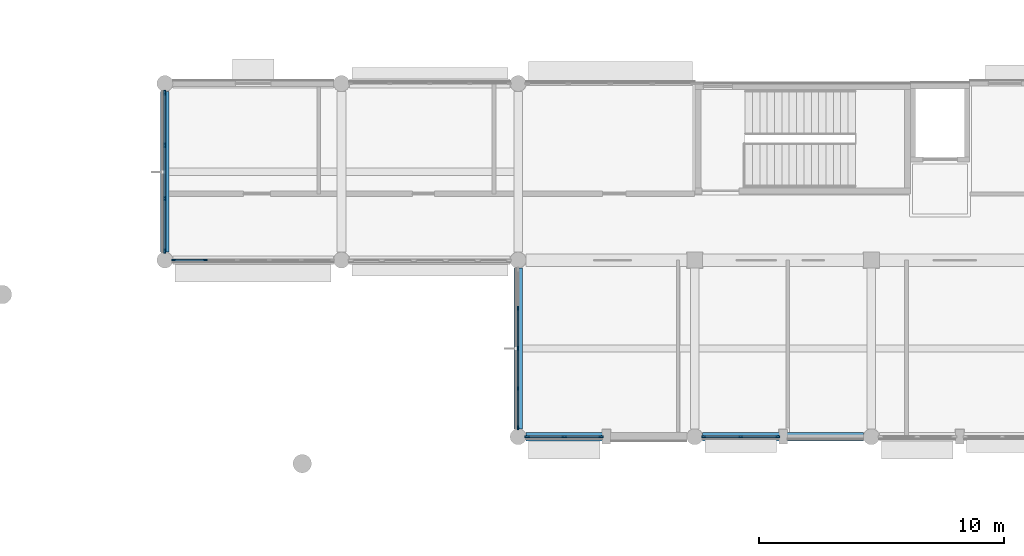
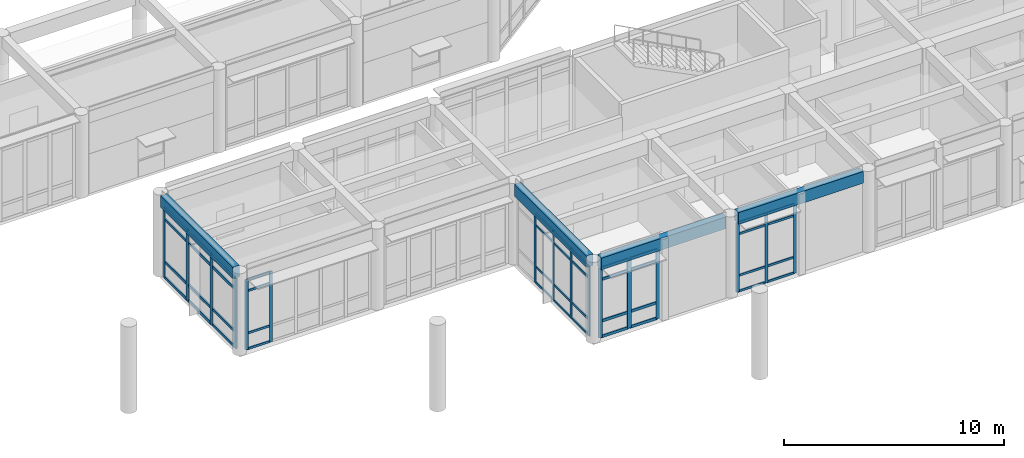
# One storey, part 3 of 92: 60 members, 4 beams, 5 elements without a shape of their own.
"""IFC4 building model written with IfcOpenShell, lengths in metres."""

from ifc_helpers import new_model, si_unit, direction, frame, origin, origin_2d, place, context, subcontext, project, spatial, rectangle, extrude, material, layer, layer_set, material_profile, profile_set, type_object, element, aggregate, save


model = new_model("IFC4")

# Units and contexts
model_context = context("Model", 3, precision=1e-05, world=origin(), true_north=direction((0.0, 1.0)))
body_context = subcontext(model_context, "Body", "Model", "MODEL_VIEW")
ifc_project = project(units=[si_unit("LENGTHUNIT", "METRE"), si_unit("AREAUNIT", "SQUARE_METRE"), si_unit("VOLUMEUNIT", "CUBIC_METRE"), si_unit("PLANEANGLEUNIT", "RADIAN"), si_unit("MASSUNIT", "GRAM", prefix="KILO")], contexts=[model_context])

# Site, building, storey
site_placement = place(None, origin())
site = spatial("IfcSite", under=ifc_project, at=site_placement, CompositionType="ELEMENT")
building_placement = place(site_placement, origin())
building = spatial("IfcBuilding", under=site, at=building_placement, Name="Namkhue Oval Health Centre", CompositionType="ELEMENT")
storey_placement = place(building_placement, frame((0.0, 0.0, 4.800048828125)))
storey = spatial("IfcBuildingStorey", under=building, at=storey_placement, Name="L01", CompositionType="ELEMENT", Elevation=4.800048828125)

# Curtain wall, members
ifc_material_1 = material(Name="Anodised aluminium EN AW-6063 T6", Category="aluminium")
ifc_layer_1 = layer(ifc_material_1, 0.159912109375)
ifc_layer_set_1 = layer_set([ifc_layer_1], Name="Anodised aluminium EN AW-6063 T6")
curtain_wall_type_1 = type_object("IfcCurtainWallType", Name="UNITISED CURTAIN WALL M1500", PredefinedType="NOTDEFINED", material=ifc_layer_set_1)
curtain_wall_1_placement = place(storey_placement, origin())
curtain_wall_1 = element("IfcCurtainWall", 1, at=curtain_wall_1_placement, inside=storey, type_object=curtain_wall_type_1, Name="Volume V4 L01 Unitised Curtain Wall 147", PredefinedType="NOTDEFINED")
ifc_material_profile_1 = material_profile(ifc_material_1, rectangle(XDim=0.06494140625, YDim=0.159912109375, at=origin_2d()), Name="ALU 65x160")
ifc_profile_set_1 = profile_set([ifc_material_profile_1], Name="Anodised aluminium EN AW-6063 T6")
member_type_1 = type_object("IfcMemberType", Name="CURTAIN WALL MULLION 65X160", PredefinedType="MULLION", material=ifc_profile_set_1)
member_1_placement = place(storey_placement, frame((57.967529296875, 14.39990234375, 0.0), z_axis=(0.0, 0.0, 1.0), x_axis=(0.0, 1.0, 0.0)))
member_1 = element("IfcMember", 2, at=member_1_placement, type_object=member_type_1, Name="CW-03 mullion 1", PredefinedType="MULLION", context=body_context, shape_type="SweptSolid", body=[
    extrude(rectangle(XDim=0.06494140625, YDim=0.159912109375, at=origin_2d()), origin(), (0.0, 0.0, 1.0), 3.85498046875),
])
member_2_placement = place(storey_placement, frame((59.474609375, 14.39990234375, 0.0), z_axis=(0.0, 0.0, 1.0), x_axis=(0.0, 1.0, 0.0)))
member_2 = element("IfcMember", 3, at=member_2_placement, type_object=member_type_1, Name="CW-03 mullion 2", PredefinedType="MULLION", context=body_context, shape_type="SweptSolid", body=[
    extrude(rectangle(XDim=0.06494140625, YDim=0.159912109375, at=origin_2d()), origin(), (0.0, 0.0, 1.0), 3.85498046875),
])
member_3_placement = place(storey_placement, frame((60.9814453125, 14.39990234375, 0.0), z_axis=(0.0, 0.0, 1.0), x_axis=(0.0, 1.0, 0.0)))
member_3 = element("IfcMember", 4, at=member_3_placement, type_object=member_type_1, Name="CW-03 mullion 3", PredefinedType="MULLION", context=body_context, shape_type="SweptSolid", body=[
    extrude(rectangle(XDim=0.06494140625, YDim=0.159912109375, at=origin_2d()), origin(), (0.0, 0.0, 1.0), 3.85498046875),
])

ifc_layer_2 = layer(ifc_material_1, 0.159912109375)
ifc_layer_set_2 = layer_set([ifc_layer_2], Name="Anodised aluminium EN AW-6063 T6")
curtain_wall_type_2 = type_object("IfcCurtainWallType", Name="UNITISED CURTAIN WALL M1200", PredefinedType="NOTDEFINED", material=ifc_layer_set_2)
curtain_wall_2_placement = place(storey_placement, origin())
curtain_wall_2 = element("IfcCurtainWall", 5, at=curtain_wall_2_placement, inside=storey, type_object=curtain_wall_type_2, Name="Volume V4 L01 Unitised Curtain Wall 157", PredefinedType="NOTDEFINED")
member_4_placement = place(storey_placement, frame((36.367431640625, 21.60009765625, 0.0), z_axis=(0.0, 0.0, 1.0), x_axis=(0.0, 1.0, 0.0)))
member_4 = element("IfcMember", 6, at=member_4_placement, type_object=member_type_1, Name="CW-01 mullion 1", PredefinedType="MULLION", context=body_context, shape_type="SweptSolid", body=[
    extrude(rectangle(XDim=0.06494140625, YDim=0.159912109375, at=origin_2d()), origin(), (0.0, 0.0, 1.0), 3.89794921875),
])
member_5_placement = place(storey_placement, frame((37.64111328125, 21.60009765625, 0.0), z_axis=(0.0, 0.0, 1.0), x_axis=(0.0, 1.0, 0.0)))
member_5 = element("IfcMember", 7, at=member_5_placement, type_object=member_type_1, Name="CW-01 mullion 2", PredefinedType="MULLION", context=body_context, shape_type="SweptSolid", body=[
    extrude(rectangle(XDim=0.06494140625, YDim=0.159912109375, at=origin_2d()), origin(), (0.0, 0.0, 1.0), 3.89794921875),
])

curtain_wall_3_placement = place(storey_placement, origin())
curtain_wall_3 = element("IfcCurtainWall", 8, at=curtain_wall_3_placement, inside=storey, type_object=curtain_wall_type_1, Name="Volume V4 L01 Unitised Curtain Wall 159", PredefinedType="NOTDEFINED")
member_6_placement = place(storey_placement, frame((50.39990234375, 19.632568359375, 0.0), z_axis=(0.0, 0.0, 1.0), x_axis=(1.0, 0.0, 0.0)))
member_6 = element("IfcMember", 9, at=member_6_placement, type_object=member_type_1, Name="CW-03 mullion 2", PredefinedType="MULLION", context=body_context, shape_type="SweptSolid", body=[
    extrude(rectangle(XDim=0.06494140625, YDim=0.159912109375, at=origin_2d()), origin(), (0.0, 0.0, 1.0), 3.85498046875),
])
member_7_placement = place(storey_placement, frame((50.39990234375, 18.0, 0.0), z_axis=(0.0, 0.0, 1.0), x_axis=(1.0, 0.0, 0.0)))
member_7 = element("IfcMember", 10, at=member_7_placement, type_object=member_type_1, Name="CW-03 mullion 3", PredefinedType="MULLION", context=body_context, shape_type="SweptSolid", body=[
    extrude(rectangle(XDim=0.06494140625, YDim=0.159912109375, at=origin_2d()), origin(), (0.0, 0.0, 1.0), 3.85498046875),
])
member_8_placement = place(storey_placement, frame((50.39990234375, 16.367431640625, 0.0), z_axis=(0.0, 0.0, 1.0), x_axis=(1.0, 0.0, 0.0)))
member_8 = element("IfcMember", 11, at=member_8_placement, type_object=member_type_1, Name="CW-03 mullion 4", PredefinedType="MULLION", context=body_context, shape_type="SweptSolid", body=[
    extrude(rectangle(XDim=0.06494140625, YDim=0.159912109375, at=origin_2d()), origin(), (0.0, 0.0, 1.0), 3.85498046875),
])
member_9_placement = place(storey_placement, frame((50.39990234375, 14.767578125, 0.0), z_axis=(0.0, 0.0, 1.0), x_axis=(1.0, 0.0, 0.0)))
member_9 = element("IfcMember", 12, at=member_9_placement, type_object=member_type_1, Name="CW-03 mullion 5", PredefinedType="MULLION", context=body_context, shape_type="SweptSolid", body=[
    extrude(rectangle(XDim=0.06494140625, YDim=0.159912109375, at=origin_2d()), origin(), (0.0, 0.0, 1.0), 3.85498046875),
])

ifc_layer_3 = layer(ifc_material_1, 0.159912109375)
ifc_layer_set_3 = layer_set([ifc_layer_3], Name="Anodised aluminium EN AW-6063 T6")
curtain_wall_type_3 = type_object("IfcCurtainWallType", Name="UNITISED CURTAIN WALL M1350", PredefinedType="NOTDEFINED", material=ifc_layer_set_3)
curtain_wall_4_placement = place(storey_placement, origin())
curtain_wall_4 = element("IfcCurtainWall", 13, at=curtain_wall_4_placement, inside=storey, type_object=curtain_wall_type_3, Name="Volume V4 L01 Unitised Curtain Wall 146", PredefinedType="NOTDEFINED")
ifc_material_profile_2 = material_profile(ifc_material_1, rectangle(XDim=0.074951171875, YDim=0.199951171875, at=origin_2d()), Name="ALU 75x200")
ifc_profile_set_2 = profile_set([ifc_material_profile_2], Name="Anodised aluminium EN AW-6063 T6")
member_type_2 = type_object("IfcMemberType", Name="CURTAIN WALL MULLION 75X200", PredefinedType="MULLION", material=ifc_profile_set_2)
member_10_placement = place(storey_placement, frame((50.7724609375, 14.39990234375, 0.0), z_axis=(0.0, 0.0, 1.0), x_axis=(0.0, 1.0, 0.0)))
member_10 = element("IfcMember", 14, at=member_10_placement, type_object=member_type_2, Name="CW-02 mullion 1", PredefinedType="MULLION", context=body_context, shape_type="SweptSolid", body=[
    extrude(rectangle(XDim=0.074951171875, YDim=0.199951171875, at=origin_2d()), origin(), (0.0, 0.0, 1.0), 3.85498046875),
])
member_11_placement = place(storey_placement, frame((52.2744140625, 14.39990234375, 0.0), z_axis=(0.0, 0.0, 1.0), x_axis=(0.0, 1.0, 0.0)))
member_11 = element("IfcMember", 15, at=member_11_placement, type_object=member_type_2, Name="CW-02 mullion 2", PredefinedType="MULLION", context=body_context, shape_type="SweptSolid", body=[
    extrude(rectangle(XDim=0.074951171875, YDim=0.199951171875, at=origin_2d()), origin(), (0.0, 0.0, 1.0), 3.85498046875),
])
member_12_placement = place(storey_placement, frame((53.776611328125, 14.39990234375, 0.0), z_axis=(0.0, 0.0, 1.0), x_axis=(0.0, 1.0, 0.0)))
member_12 = element("IfcMember", 16, at=member_12_placement, type_object=member_type_2, Name="CW-02 mullion 3", PredefinedType="MULLION", context=body_context, shape_type="SweptSolid", body=[
    extrude(rectangle(XDim=0.074951171875, YDim=0.199951171875, at=origin_2d()), origin(), (0.0, 0.0, 1.0), 3.85498046875),
])

ifc_layer_4 = layer(ifc_material_1, 0.159912109375)
ifc_layer_set_4 = layer_set([ifc_layer_4], Name="Anodised aluminium EN AW-6063 T6")
curtain_wall_type_4 = type_object("IfcCurtainWallType", Name="UNITISED CURTAIN WALL M2000", PredefinedType="NOTDEFINED", material=ifc_layer_set_4)
curtain_wall_5_placement = place(storey_placement, origin())
curtain_wall_5 = element("IfcCurtainWall", 17, at=curtain_wall_5_placement, inside=storey, type_object=curtain_wall_type_4, Name="Volume V4 L01 Unitised Curtain Wall 156", PredefinedType="NOTDEFINED")
member_13_placement = place(storey_placement, frame((36.0, 28.427490234375, 0.0), z_axis=(0.0, 0.0, 1.0), x_axis=(1.0, 0.0, 0.0)))
member_13 = element("IfcMember", 18, at=member_13_placement, type_object=member_type_2, Name="CW-06 mullion 1", PredefinedType="MULLION", context=body_context, shape_type="SweptSolid", body=[
    extrude(rectangle(XDim=0.074951171875, YDim=0.199951171875, at=origin_2d()), origin(), (0.0, 0.0, 1.0), 3.89794921875),
])
member_14_placement = place(storey_placement, frame((36.0, 26.288330078125, 0.0), z_axis=(0.0, 0.0, 1.0), x_axis=(1.0, 0.0, 0.0)))
member_14 = element("IfcMember", 19, at=member_14_placement, type_object=member_type_2, Name="CW-06 mullion 2", PredefinedType="MULLION", context=body_context, shape_type="SweptSolid", body=[
    extrude(rectangle(XDim=0.074951171875, YDim=0.199951171875, at=origin_2d()), origin(), (0.0, 0.0, 1.0), 3.89794921875),
])
member_15_placement = place(storey_placement, frame((36.0, 24.111572265625, 0.0), z_axis=(0.0, 0.0, 1.0), x_axis=(1.0, 0.0, 0.0)))
member_15 = element("IfcMember", 20, at=member_15_placement, type_object=member_type_2, Name="CW-06 mullion 3", PredefinedType="MULLION", context=body_context, shape_type="SweptSolid", body=[
    extrude(rectangle(XDim=0.074951171875, YDim=0.199951171875, at=origin_2d()), origin(), (0.0, 0.0, 1.0), 3.89794921875),
])
member_16_placement = place(storey_placement, frame((36.0, 21.972412109375, 0.0), z_axis=(0.0, 0.0, 1.0), x_axis=(1.0, 0.0, 0.0)))
member_16 = element("IfcMember", 21, at=member_16_placement, type_object=member_type_2, Name="CW-06 mullion 4", PredefinedType="MULLION", context=body_context, shape_type="SweptSolid", body=[
    extrude(rectangle(XDim=0.074951171875, YDim=0.199951171875, at=origin_2d()), origin(), (0.0, 0.0, 1.0), 3.89794921875),
])

# Member
ifc_material_profile_3 = material_profile(ifc_material_1, rectangle(XDim=0.06494140625, YDim=0.1201171875, at=origin_2d()), Name="ALU 65x120")
ifc_profile_set_3 = profile_set([ifc_material_profile_3], Name="Anodised aluminium EN AW-6063 T6")
member_type_3 = type_object("IfcMemberType", Name="CURTAIN WALL TRANSOM 65X120", PredefinedType="USERDEFINED", material=ifc_profile_set_3)
member_17_placement = place(storey_placement, frame((58.0, 14.39990234375, 0.032470703125), z_axis=(1.0, 0.0, 0.0), x_axis=(0.0, 1.0, 0.0)))
member_17 = element("IfcMember", 22, at=member_17_placement, type_object=member_type_3, Name="CW-03 transom 1.1", ObjectType="TRANSOM", PredefinedType="USERDEFINED", context=body_context, shape_type="SweptSolid", body=[
    extrude(rectangle(XDim=0.06494140625, YDim=0.1201171875, at=origin_2d()), origin(), (0.0, 0.0, 1.0), 1.44189453125),
])

member_18_placement = place(storey_placement, frame((58.0, 14.39990234375, 0.89990234375), z_axis=(1.0, 0.0, 0.0), x_axis=(0.0, 1.0, 0.0)))
member_18 = element("IfcMember", 23, at=member_18_placement, type_object=member_type_3, Name="CW-03 transom 1.2", ObjectType="TRANSOM", PredefinedType="USERDEFINED", context=body_context, shape_type="SweptSolid", body=[
    extrude(rectangle(XDim=0.06494140625, YDim=0.1201171875, at=origin_2d()), origin(), (0.0, 0.0, 1.0), 1.44189453125),
])

member_19_placement = place(storey_placement, frame((58.0, 14.39990234375, 3.204833984375), z_axis=(1.0, 0.0, 0.0), x_axis=(0.0, 1.0, 0.0)))
member_19 = element("IfcMember", 24, at=member_19_placement, type_object=member_type_3, Name="CW-03 transom 1.3", ObjectType="TRANSOM", PredefinedType="USERDEFINED", context=body_context, shape_type="SweptSolid", body=[
    extrude(rectangle(XDim=0.06494140625, YDim=0.1201171875, at=origin_2d()), origin(), (0.0, 0.0, 1.0), 1.44189453125),
])

member_20_placement = place(storey_placement, frame((58.0, 14.39990234375, 3.822509765625), z_axis=(1.0, 0.0, 0.0), x_axis=(0.0, 1.0, 0.0)))
member_20 = element("IfcMember", 25, at=member_20_placement, type_object=member_type_3, Name="CW-03 transom 1.4", ObjectType="TRANSOM", PredefinedType="USERDEFINED", context=body_context, shape_type="SweptSolid", body=[
    extrude(rectangle(XDim=0.06494140625, YDim=0.1201171875, at=origin_2d()), origin(), (0.0, 0.0, 1.0), 1.44189453125),
])

member_21_placement = place(storey_placement, frame((59.507080078125, 14.39990234375, 0.032470703125), z_axis=(1.0, 0.0, 0.0), x_axis=(0.0, 1.0, 0.0)))
member_21 = element("IfcMember", 26, at=member_21_placement, type_object=member_type_3, Name="CW-03 transom 2.1", ObjectType="TRANSOM", PredefinedType="USERDEFINED", context=body_context, shape_type="SweptSolid", body=[
    extrude(rectangle(XDim=0.06494140625, YDim=0.1201171875, at=origin_2d()), origin(), (0.0, 0.0, 1.0), 1.44189453125),
])

member_22_placement = place(storey_placement, frame((59.507080078125, 14.39990234375, 0.89990234375), z_axis=(1.0, 0.0, 0.0), x_axis=(0.0, 1.0, 0.0)))
member_22 = element("IfcMember", 27, at=member_22_placement, type_object=member_type_3, Name="CW-03 transom 2.2", ObjectType="TRANSOM", PredefinedType="USERDEFINED", context=body_context, shape_type="SweptSolid", body=[
    extrude(rectangle(XDim=0.06494140625, YDim=0.1201171875, at=origin_2d()), origin(), (0.0, 0.0, 1.0), 1.44189453125),
])

member_23_placement = place(storey_placement, frame((59.507080078125, 14.39990234375, 3.204833984375), z_axis=(1.0, 0.0, 0.0), x_axis=(0.0, 1.0, 0.0)))
member_23 = element("IfcMember", 28, at=member_23_placement, type_object=member_type_3, Name="CW-03 transom 2.3", ObjectType="TRANSOM", PredefinedType="USERDEFINED", context=body_context, shape_type="SweptSolid", body=[
    extrude(rectangle(XDim=0.06494140625, YDim=0.1201171875, at=origin_2d()), origin(), (0.0, 0.0, 1.0), 1.44189453125),
])

member_24_placement = place(storey_placement, frame((59.507080078125, 14.39990234375, 3.822509765625), z_axis=(1.0, 0.0, 0.0), x_axis=(0.0, 1.0, 0.0)))
member_24 = element("IfcMember", 29, at=member_24_placement, type_object=member_type_3, Name="CW-03 transom 2.4", ObjectType="TRANSOM", PredefinedType="USERDEFINED", context=body_context, shape_type="SweptSolid", body=[
    extrude(rectangle(XDim=0.06494140625, YDim=0.1201171875, at=origin_2d()), origin(), (0.0, 0.0, 1.0), 1.44189453125),
])

aggregate(curtain_wall_1, [member_1, member_2, member_3, member_17, member_18, member_19, member_20, member_21, member_22, member_23, member_24])

member_25_placement = place(storey_placement, frame((36.39990234375, 21.60009765625, 0.032470703125), z_axis=(1.0, 0.0, 0.0), x_axis=(0.0, 1.0, 0.0)))
member_25 = element("IfcMember", 30, at=member_25_placement, type_object=member_type_3, Name="CW-01 transom 1.1", ObjectType="TRANSOM", PredefinedType="USERDEFINED", context=body_context, shape_type="SweptSolid", body=[
    extrude(rectangle(XDim=0.06494140625, YDim=0.1201171875, at=origin_2d()), origin(), (0.0, 0.0, 1.0), 1.20849609375),
])

member_26_placement = place(storey_placement, frame((36.39990234375, 21.60009765625, 0.89990234375), z_axis=(1.0, 0.0, 0.0), x_axis=(0.0, 1.0, 0.0)))
member_26 = element("IfcMember", 31, at=member_26_placement, type_object=member_type_3, Name="CW-01 transom 1.2", ObjectType="TRANSOM", PredefinedType="USERDEFINED", context=body_context, shape_type="SweptSolid", body=[
    extrude(rectangle(XDim=0.06494140625, YDim=0.1201171875, at=origin_2d()), origin(), (0.0, 0.0, 1.0), 1.20849609375),
])

member_27_placement = place(storey_placement, frame((36.39990234375, 21.60009765625, 3.248046875), z_axis=(1.0, 0.0, 0.0), x_axis=(0.0, 1.0, 0.0)))
member_27 = element("IfcMember", 32, at=member_27_placement, type_object=member_type_3, Name="CW-01 transom 1.3", ObjectType="TRANSOM", PredefinedType="USERDEFINED", context=body_context, shape_type="SweptSolid", body=[
    extrude(rectangle(XDim=0.06494140625, YDim=0.1201171875, at=origin_2d()), origin(), (0.0, 0.0, 1.0), 1.20849609375),
])

member_28_placement = place(storey_placement, frame((36.39990234375, 21.60009765625, 3.865478515625), z_axis=(1.0, 0.0, 0.0), x_axis=(0.0, 1.0, 0.0)))
member_28 = element("IfcMember", 33, at=member_28_placement, type_object=member_type_3, Name="CW-01 transom 1.4", ObjectType="TRANSOM", PredefinedType="USERDEFINED", context=body_context, shape_type="SweptSolid", body=[
    extrude(rectangle(XDim=0.06494140625, YDim=0.1201171875, at=origin_2d()), origin(), (0.0, 0.0, 1.0), 1.20849609375),
])

aggregate(curtain_wall_2, [member_4, member_5, member_25, member_26, member_27, member_28])

member_29_placement = place(storey_placement, frame((50.39990234375, 19.60009765625, 0.032470703125), z_axis=(0.0, -1.0, 0.0), x_axis=(1.0, 0.0, 0.0)))
member_29 = element("IfcMember", 34, at=member_29_placement, type_object=member_type_3, Name="CW-03 transom 2.1", ObjectType="TRANSOM", PredefinedType="USERDEFINED", context=body_context, shape_type="SweptSolid", body=[
    extrude(rectangle(XDim=0.06494140625, YDim=0.1201171875, at=origin_2d()), origin(), (0.0, 0.0, 1.0), 1.567626953125),
])

member_30_placement = place(storey_placement, frame((50.39990234375, 19.60009765625, 0.89990234375), z_axis=(0.0, -1.0, 0.0), x_axis=(1.0, 0.0, 0.0)))
member_30 = element("IfcMember", 35, at=member_30_placement, type_object=member_type_3, Name="CW-03 transom 2.2", ObjectType="TRANSOM", PredefinedType="USERDEFINED", context=body_context, shape_type="SweptSolid", body=[
    extrude(rectangle(XDim=0.06494140625, YDim=0.1201171875, at=origin_2d()), origin(), (0.0, 0.0, 1.0), 1.567626953125),
])

member_31_placement = place(storey_placement, frame((50.39990234375, 19.60009765625, 3.204833984375), z_axis=(0.0, -1.0, 0.0), x_axis=(1.0, 0.0, 0.0)))
member_31 = element("IfcMember", 36, at=member_31_placement, type_object=member_type_3, Name="CW-03 transom 2.3", ObjectType="TRANSOM", PredefinedType="USERDEFINED", context=body_context, shape_type="SweptSolid", body=[
    extrude(rectangle(XDim=0.06494140625, YDim=0.1201171875, at=origin_2d()), origin(), (0.0, 0.0, 1.0), 1.567626953125),
])

member_32_placement = place(storey_placement, frame((50.39990234375, 19.60009765625, 3.822509765625), z_axis=(0.0, -1.0, 0.0), x_axis=(1.0, 0.0, 0.0)))
member_32 = element("IfcMember", 37, at=member_32_placement, type_object=member_type_3, Name="CW-03 transom 2.4", ObjectType="TRANSOM", PredefinedType="USERDEFINED", context=body_context, shape_type="SweptSolid", body=[
    extrude(rectangle(XDim=0.06494140625, YDim=0.1201171875, at=origin_2d()), origin(), (0.0, 0.0, 1.0), 1.567626953125),
])

member_33_placement = place(storey_placement, frame((50.39990234375, 17.967529296875, 0.032470703125), z_axis=(0.0, -1.0, 0.0), x_axis=(1.0, 0.0, 0.0)))
member_33 = element("IfcMember", 38, at=member_33_placement, type_object=member_type_3, Name="CW-03 transom 3.1", ObjectType="TRANSOM", PredefinedType="USERDEFINED", context=body_context, shape_type="SweptSolid", body=[
    extrude(rectangle(XDim=0.06494140625, YDim=0.1201171875, at=origin_2d()), origin(), (0.0, 0.0, 1.0), 1.567626953125),
])

member_34_placement = place(storey_placement, frame((50.39990234375, 17.967529296875, 0.89990234375), z_axis=(0.0, -1.0, 0.0), x_axis=(1.0, 0.0, 0.0)))
member_34 = element("IfcMember", 39, at=member_34_placement, type_object=member_type_3, Name="CW-03 transom 3.2", ObjectType="TRANSOM", PredefinedType="USERDEFINED", context=body_context, shape_type="SweptSolid", body=[
    extrude(rectangle(XDim=0.06494140625, YDim=0.1201171875, at=origin_2d()), origin(), (0.0, 0.0, 1.0), 1.567626953125),
])

member_35_placement = place(storey_placement, frame((50.39990234375, 17.967529296875, 3.204833984375), z_axis=(0.0, -1.0, 0.0), x_axis=(1.0, 0.0, 0.0)))
member_35 = element("IfcMember", 40, at=member_35_placement, type_object=member_type_3, Name="CW-03 transom 3.3", ObjectType="TRANSOM", PredefinedType="USERDEFINED", context=body_context, shape_type="SweptSolid", body=[
    extrude(rectangle(XDim=0.06494140625, YDim=0.1201171875, at=origin_2d()), origin(), (0.0, 0.0, 1.0), 1.567626953125),
])

member_36_placement = place(storey_placement, frame((50.39990234375, 17.967529296875, 3.822509765625), z_axis=(0.0, -1.0, 0.0), x_axis=(1.0, 0.0, 0.0)))
member_36 = element("IfcMember", 41, at=member_36_placement, type_object=member_type_3, Name="CW-03 transom 3.4", ObjectType="TRANSOM", PredefinedType="USERDEFINED", context=body_context, shape_type="SweptSolid", body=[
    extrude(rectangle(XDim=0.06494140625, YDim=0.1201171875, at=origin_2d()), origin(), (0.0, 0.0, 1.0), 1.567626953125),
])

member_37_placement = place(storey_placement, frame((50.39990234375, 16.3349609375, 0.032470703125), z_axis=(0.0, -1.0, 0.0), x_axis=(1.0, 0.0, 0.0)))
member_37 = element("IfcMember", 42, at=member_37_placement, type_object=member_type_3, Name="CW-03 transom 4.1", ObjectType="TRANSOM", PredefinedType="USERDEFINED", context=body_context, shape_type="SweptSolid", body=[
    extrude(rectangle(XDim=0.06494140625, YDim=0.1201171875, at=origin_2d()), origin(), (0.0, 0.0, 1.0), 1.534912109375),
])

member_38_placement = place(storey_placement, frame((50.39990234375, 16.3349609375, 0.89990234375), z_axis=(0.0, -1.0, 0.0), x_axis=(1.0, 0.0, 0.0)))
member_38 = element("IfcMember", 43, at=member_38_placement, type_object=member_type_3, Name="CW-03 transom 4.2", ObjectType="TRANSOM", PredefinedType="USERDEFINED", context=body_context, shape_type="SweptSolid", body=[
    extrude(rectangle(XDim=0.06494140625, YDim=0.1201171875, at=origin_2d()), origin(), (0.0, 0.0, 1.0), 1.534912109375),
])

member_39_placement = place(storey_placement, frame((50.39990234375, 16.3349609375, 3.204833984375), z_axis=(0.0, -1.0, 0.0), x_axis=(1.0, 0.0, 0.0)))
member_39 = element("IfcMember", 44, at=member_39_placement, type_object=member_type_3, Name="CW-03 transom 4.3", ObjectType="TRANSOM", PredefinedType="USERDEFINED", context=body_context, shape_type="SweptSolid", body=[
    extrude(rectangle(XDim=0.06494140625, YDim=0.1201171875, at=origin_2d()), origin(), (0.0, 0.0, 1.0), 1.534912109375),
])

member_40_placement = place(storey_placement, frame((50.39990234375, 16.3349609375, 3.822509765625), z_axis=(0.0, -1.0, 0.0), x_axis=(1.0, 0.0, 0.0)))
member_40 = element("IfcMember", 45, at=member_40_placement, type_object=member_type_3, Name="CW-03 transom 4.4", ObjectType="TRANSOM", PredefinedType="USERDEFINED", context=body_context, shape_type="SweptSolid", body=[
    extrude(rectangle(XDim=0.06494140625, YDim=0.1201171875, at=origin_2d()), origin(), (0.0, 0.0, 1.0), 1.534912109375),
])

aggregate(curtain_wall_3, [member_6, member_7, member_8, member_9, member_29, member_30, member_31, member_32, member_33, member_34, member_35, member_36, member_37, member_38, member_39, member_40])

ifc_material_profile_4 = material_profile(ifc_material_1, rectangle(XDim=0.074951171875, YDim=0.14990234375, at=origin_2d()), Name="ALU 75x150")
ifc_profile_set_4 = profile_set([ifc_material_profile_4], Name="Anodised aluminium EN AW-6063 T6")
member_type_4 = type_object("IfcMemberType", Name="CURTAIN WALL TRANSOM 75X150", PredefinedType="USERDEFINED", material=ifc_profile_set_4)
member_41_placement = place(storey_placement, frame((50.81005859375, 14.39990234375, 0.037353515625), z_axis=(1.0, 0.0, 0.0), x_axis=(0.0, 1.0, 0.0)))
member_41 = element("IfcMember", 46, at=member_41_placement, type_object=member_type_4, Name="CW-02 transom 1.1", ObjectType="TRANSOM", PredefinedType="USERDEFINED", context=body_context, shape_type="SweptSolid", body=[
    extrude(rectangle(XDim=0.074951171875, YDim=0.14990234375, at=origin_2d()), origin(), (0.0, 0.0, 1.0), 1.427001953125),
])

member_42_placement = place(storey_placement, frame((50.81005859375, 14.39990234375, 0.89990234375), z_axis=(1.0, 0.0, 0.0), x_axis=(0.0, 1.0, 0.0)))
member_42 = element("IfcMember", 47, at=member_42_placement, type_object=member_type_4, Name="CW-02 transom 1.2", ObjectType="TRANSOM", PredefinedType="USERDEFINED", context=body_context, shape_type="SweptSolid", body=[
    extrude(rectangle(XDim=0.074951171875, YDim=0.14990234375, at=origin_2d()), origin(), (0.0, 0.0, 1.0), 1.427001953125),
])

member_43_placement = place(storey_placement, frame((50.81005859375, 14.39990234375, 3.204833984375), z_axis=(1.0, 0.0, 0.0), x_axis=(0.0, 1.0, 0.0)))
member_43 = element("IfcMember", 48, at=member_43_placement, type_object=member_type_4, Name="CW-02 transom 1.3", ObjectType="TRANSOM", PredefinedType="USERDEFINED", context=body_context, shape_type="SweptSolid", body=[
    extrude(rectangle(XDim=0.074951171875, YDim=0.14990234375, at=origin_2d()), origin(), (0.0, 0.0, 1.0), 1.427001953125),
])

member_44_placement = place(storey_placement, frame((50.81005859375, 14.39990234375, 3.8173828125), z_axis=(1.0, 0.0, 0.0), x_axis=(0.0, 1.0, 0.0)))
member_44 = element("IfcMember", 49, at=member_44_placement, type_object=member_type_4, Name="CW-02 transom 1.4", ObjectType="TRANSOM", PredefinedType="USERDEFINED", context=body_context, shape_type="SweptSolid", body=[
    extrude(rectangle(XDim=0.074951171875, YDim=0.14990234375, at=origin_2d()), origin(), (0.0, 0.0, 1.0), 1.427001953125),
])

member_45_placement = place(storey_placement, frame((52.31201171875, 14.39990234375, 0.037353515625), z_axis=(1.0, 0.0, 0.0), x_axis=(0.0, 1.0, 0.0)))
member_45 = element("IfcMember", 50, at=member_45_placement, type_object=member_type_4, Name="CW-02 transom 2.1", ObjectType="TRANSOM", PredefinedType="USERDEFINED", context=body_context, shape_type="SweptSolid", body=[
    extrude(rectangle(XDim=0.074951171875, YDim=0.14990234375, at=origin_2d()), origin(), (0.0, 0.0, 1.0), 1.427001953125),
])

member_46_placement = place(storey_placement, frame((52.31201171875, 14.39990234375, 0.89990234375), z_axis=(1.0, 0.0, 0.0), x_axis=(0.0, 1.0, 0.0)))
member_46 = element("IfcMember", 51, at=member_46_placement, type_object=member_type_4, Name="CW-02 transom 2.2", ObjectType="TRANSOM", PredefinedType="USERDEFINED", context=body_context, shape_type="SweptSolid", body=[
    extrude(rectangle(XDim=0.074951171875, YDim=0.14990234375, at=origin_2d()), origin(), (0.0, 0.0, 1.0), 1.427001953125),
])

member_47_placement = place(storey_placement, frame((52.31201171875, 14.39990234375, 3.204833984375), z_axis=(1.0, 0.0, 0.0), x_axis=(0.0, 1.0, 0.0)))
member_47 = element("IfcMember", 52, at=member_47_placement, type_object=member_type_4, Name="CW-02 transom 2.3", ObjectType="TRANSOM", PredefinedType="USERDEFINED", context=body_context, shape_type="SweptSolid", body=[
    extrude(rectangle(XDim=0.074951171875, YDim=0.14990234375, at=origin_2d()), origin(), (0.0, 0.0, 1.0), 1.427001953125),
])

member_48_placement = place(storey_placement, frame((52.31201171875, 14.39990234375, 3.8173828125), z_axis=(1.0, 0.0, 0.0), x_axis=(0.0, 1.0, 0.0)))
member_48 = element("IfcMember", 53, at=member_48_placement, type_object=member_type_4, Name="CW-02 transom 2.4", ObjectType="TRANSOM", PredefinedType="USERDEFINED", context=body_context, shape_type="SweptSolid", body=[
    extrude(rectangle(XDim=0.074951171875, YDim=0.14990234375, at=origin_2d()), origin(), (0.0, 0.0, 1.0), 1.427001953125),
])

aggregate(curtain_wall_4, [member_10, member_11, member_12, member_41, member_42, member_43, member_44, member_45, member_46, member_47, member_48])

member_49_placement = place(storey_placement, frame((36.0, 28.389892578125, 0.037353515625), z_axis=(0.0, -1.0, 0.0), x_axis=(1.0, 0.0, 0.0)))
member_49 = element("IfcMember", 54, at=member_49_placement, type_object=member_type_4, Name="CW-06 transom 1.1", ObjectType="TRANSOM", PredefinedType="USERDEFINED", context=body_context, shape_type="SweptSolid", body=[
    extrude(rectangle(XDim=0.074951171875, YDim=0.14990234375, at=origin_2d()), origin(), (0.0, 0.0, 1.0), 2.06396484375),
])

member_50_placement = place(storey_placement, frame((36.0, 28.389892578125, 0.89990234375), z_axis=(0.0, -1.0, 0.0), x_axis=(1.0, 0.0, 0.0)))
member_50 = element("IfcMember", 55, at=member_50_placement, type_object=member_type_4, Name="CW-06 transom 1.2", ObjectType="TRANSOM", PredefinedType="USERDEFINED", context=body_context, shape_type="SweptSolid", body=[
    extrude(rectangle(XDim=0.074951171875, YDim=0.14990234375, at=origin_2d()), origin(), (0.0, 0.0, 1.0), 2.06396484375),
])

member_51_placement = place(storey_placement, frame((36.0, 28.389892578125, 3.248046875), z_axis=(0.0, -1.0, 0.0), x_axis=(1.0, 0.0, 0.0)))
member_51 = element("IfcMember", 56, at=member_51_placement, type_object=member_type_4, Name="CW-06 transom 1.3", ObjectType="TRANSOM", PredefinedType="USERDEFINED", context=body_context, shape_type="SweptSolid", body=[
    extrude(rectangle(XDim=0.074951171875, YDim=0.14990234375, at=origin_2d()), origin(), (0.0, 0.0, 1.0), 2.06396484375),
])

member_52_placement = place(storey_placement, frame((36.0, 28.389892578125, 3.8603515625), z_axis=(0.0, -1.0, 0.0), x_axis=(1.0, 0.0, 0.0)))
member_52 = element("IfcMember", 57, at=member_52_placement, type_object=member_type_4, Name="CW-06 transom 1.4", ObjectType="TRANSOM", PredefinedType="USERDEFINED", context=body_context, shape_type="SweptSolid", body=[
    extrude(rectangle(XDim=0.074951171875, YDim=0.14990234375, at=origin_2d()), origin(), (0.0, 0.0, 1.0), 2.06396484375),
])

member_53_placement = place(storey_placement, frame((36.0, 26.250732421875, 0.037353515625), z_axis=(0.0, -1.0, 0.0), x_axis=(1.0, 0.0, 0.0)))
member_53 = element("IfcMember", 58, at=member_53_placement, type_object=member_type_4, Name="CW-06 transom 2.1", ObjectType="TRANSOM", PredefinedType="USERDEFINED", context=body_context, shape_type="SweptSolid", body=[
    extrude(rectangle(XDim=0.074951171875, YDim=0.14990234375, at=origin_2d()), origin(), (0.0, 0.0, 1.0), 2.1015625),
])

member_54_placement = place(storey_placement, frame((36.0, 26.250732421875, 0.89990234375), z_axis=(0.0, -1.0, 0.0), x_axis=(1.0, 0.0, 0.0)))
member_54 = element("IfcMember", 59, at=member_54_placement, type_object=member_type_4, Name="CW-06 transom 2.2", ObjectType="TRANSOM", PredefinedType="USERDEFINED", context=body_context, shape_type="SweptSolid", body=[
    extrude(rectangle(XDim=0.074951171875, YDim=0.14990234375, at=origin_2d()), origin(), (0.0, 0.0, 1.0), 2.1015625),
])

member_55_placement = place(storey_placement, frame((36.0, 26.250732421875, 3.248046875), z_axis=(0.0, -1.0, 0.0), x_axis=(1.0, 0.0, 0.0)))
member_55 = element("IfcMember", 60, at=member_55_placement, type_object=member_type_4, Name="CW-06 transom 2.3", ObjectType="TRANSOM", PredefinedType="USERDEFINED", context=body_context, shape_type="SweptSolid", body=[
    extrude(rectangle(XDim=0.074951171875, YDim=0.14990234375, at=origin_2d()), origin(), (0.0, 0.0, 1.0), 2.1015625),
])

member_56_placement = place(storey_placement, frame((36.0, 26.250732421875, 3.8603515625), z_axis=(0.0, -1.0, 0.0), x_axis=(1.0, 0.0, 0.0)))
member_56 = element("IfcMember", 61, at=member_56_placement, type_object=member_type_4, Name="CW-06 transom 2.4", ObjectType="TRANSOM", PredefinedType="USERDEFINED", context=body_context, shape_type="SweptSolid", body=[
    extrude(rectangle(XDim=0.074951171875, YDim=0.14990234375, at=origin_2d()), origin(), (0.0, 0.0, 1.0), 2.1015625),
])

member_57_placement = place(storey_placement, frame((36.0, 24.07421875, 0.037353515625), z_axis=(0.0, -1.0, 0.0), x_axis=(1.0, 0.0, 0.0)))
member_57 = element("IfcMember", 62, at=member_57_placement, type_object=member_type_4, Name="CW-06 transom 3.1", ObjectType="TRANSOM", PredefinedType="USERDEFINED", context=body_context, shape_type="SweptSolid", body=[
    extrude(rectangle(XDim=0.074951171875, YDim=0.14990234375, at=origin_2d()), origin(), (0.0, 0.0, 1.0), 2.064208984375),
])

member_58_placement = place(storey_placement, frame((36.0, 24.07421875, 0.89990234375), z_axis=(0.0, -1.0, 0.0), x_axis=(1.0, 0.0, 0.0)))
member_58 = element("IfcMember", 63, at=member_58_placement, type_object=member_type_4, Name="CW-06 transom 3.2", ObjectType="TRANSOM", PredefinedType="USERDEFINED", context=body_context, shape_type="SweptSolid", body=[
    extrude(rectangle(XDim=0.074951171875, YDim=0.14990234375, at=origin_2d()), origin(), (0.0, 0.0, 1.0), 2.064208984375),
])

member_59_placement = place(storey_placement, frame((36.0, 24.07421875, 3.248046875), z_axis=(0.0, -1.0, 0.0), x_axis=(1.0, 0.0, 0.0)))
member_59 = element("IfcMember", 64, at=member_59_placement, type_object=member_type_4, Name="CW-06 transom 3.3", ObjectType="TRANSOM", PredefinedType="USERDEFINED", context=body_context, shape_type="SweptSolid", body=[
    extrude(rectangle(XDim=0.074951171875, YDim=0.14990234375, at=origin_2d()), origin(), (0.0, 0.0, 1.0), 2.064208984375),
])

member_60_placement = place(storey_placement, frame((36.0, 24.07421875, 3.8603515625), z_axis=(0.0, -1.0, 0.0), x_axis=(1.0, 0.0, 0.0)))
member_60 = element("IfcMember", 65, at=member_60_placement, type_object=member_type_4, Name="CW-06 transom 3.4", ObjectType="TRANSOM", PredefinedType="USERDEFINED", context=body_context, shape_type="SweptSolid", body=[
    extrude(rectangle(XDim=0.074951171875, YDim=0.14990234375, at=origin_2d()), origin(), (0.0, 0.0, 1.0), 2.064208984375),
])

aggregate(curtain_wall_5, [member_13, member_14, member_15, member_16, member_49, member_50, member_51, member_52, member_53, member_54, member_55, member_56, member_57, member_58, member_59, member_60])

# Beams
ifc_material_2 = material(Name="Reinforced concrete C35/45 (TCVN B40)", Category="concrete")
ifc_material_profile_5 = material_profile(ifc_material_2, rectangle(XDim=0.35009765625, YDim=0.64990234375, at=origin_2d()), Name="RC 350x650")
ifc_profile_set_5 = profile_set([ifc_material_profile_5], Name="Reinforced concrete C35/45 (TCVN B40)")
beam_type = type_object("IfcBeamType", Name="PERIMETER SPANDREL BEAM 350X650", PredefinedType="SPANDREL", material=ifc_profile_set_5)
beam_1_placement = place(storey_placement, frame((50.72509765625, 14.39990234375, 4.179931640625), z_axis=(1.0, 0.0, 0.0), x_axis=(0.0, 1.0, 0.0)))
element("IfcBeam", 66, at=beam_1_placement, inside=storey, type_object=beam_type, Name="Volume V4 L02 Girder C/8-9", PredefinedType="SPANDREL", context=body_context, shape_type="SweptSolid", body=[
    extrude(rectangle(XDim=0.35009765625, YDim=0.64990234375, at=origin_2d()), origin(), (0.0, 0.0, 1.0), 6.5498046875),
])
for number, where, z_axis, x_axis, name in (
    (67, (57.925048828125, 14.39990234375, 4.179931640625), (1.0, 0.0, 0.0), (0.0, 1.0, 0.0), "Volume V4 L02 Girder C/9-10"),
    (68, (36.0, 21.925048828125, 4.222900390625), (0.0, 1.0, 0.0), (-1.0, 0.0, 0.0), "Volume V4 L02 Beam 6/D-E"),
):
    element("IfcBeam", number, at=place(storey_placement, frame(where, z_axis=z_axis, x_axis=x_axis)), inside=storey, type_object=beam_type, Name=name, PredefinedType="SPANDREL", context=body_context, shape_type="SweptSolid", body=[
        extrude(rectangle(XDim=0.35009765625, YDim=0.64990234375, at=origin_2d()), origin(), (0.0, 0.0, 1.0), 6.550048828125),
    ])
beam_2_placement = place(storey_placement, frame((50.39990234375, 14.72509765625, 4.179931640625), z_axis=(0.0, 1.0, 0.0), x_axis=(-1.0, 0.0, 0.0)))
element("IfcBeam", 69, at=beam_2_placement, inside=storey, type_object=beam_type, Name="Volume V4 L02 Beam 8/C-D", PredefinedType="SPANDREL", context=body_context, shape_type="SweptSolid", body=[
    extrude(rectangle(XDim=0.35009765625, YDim=0.64990234375, at=origin_2d()), origin(), (0.0, 0.0, 1.0), 6.5498046875),
])

save(model, "model.ifc")
